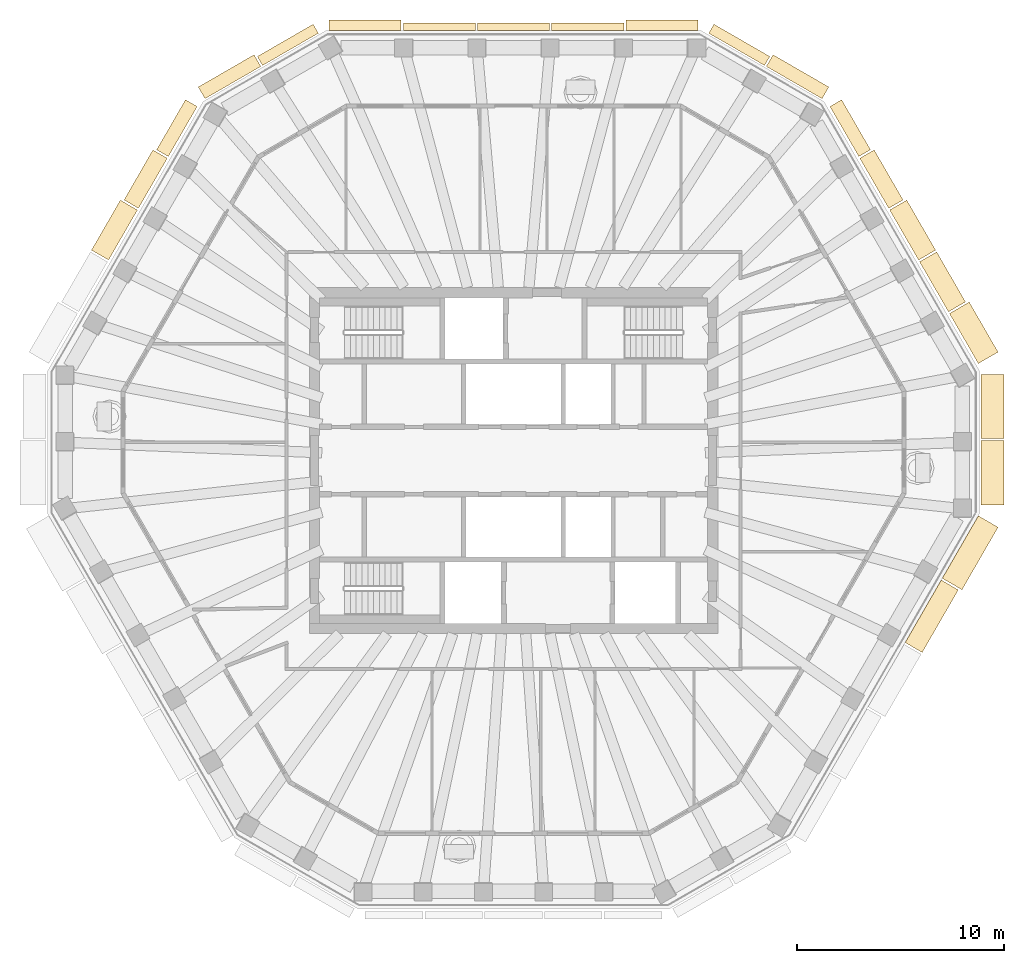
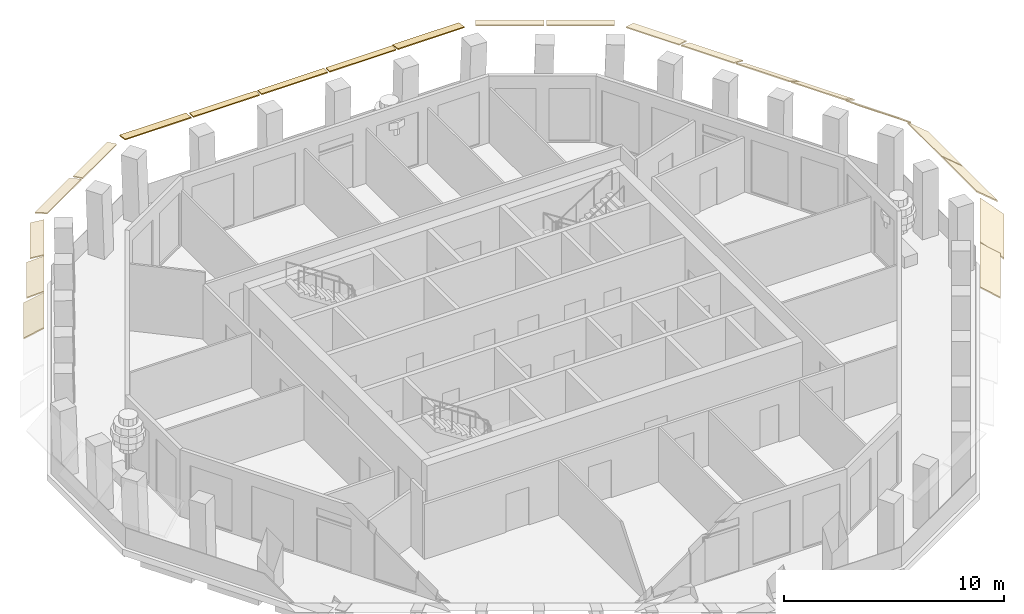
# One storey, part 9 of 11: 21 coverings.
"""IFC4 building model written with IfcOpenShell, lengths in metres."""

from ifc_helpers import new_model, si_unit, direction, frame, origin, place, context, subcontext, project, spatial, polyline, outline, extrude, material, layer, layer_set, type_object, element, save


model = new_model("IFC4")

# Units and contexts
model_context = context("Model", 3, precision=1e-05, world=origin(), true_north=direction((0.0, 1.0)))
body_context = subcontext(model_context, "Body", "Model", "MODEL_VIEW")
ifc_project = project(units=[si_unit("LENGTHUNIT", "METRE"), si_unit("AREAUNIT", "SQUARE_METRE"), si_unit("VOLUMEUNIT", "CUBIC_METRE"), si_unit("PLANEANGLEUNIT", "RADIAN"), si_unit("MASSUNIT", "GRAM", prefix="KILO")], contexts=[model_context])

# Site, building, storey
site_placement = place(None, origin())
site = spatial("IfcSite", under=ifc_project, at=site_placement, CompositionType="ELEMENT")
building_placement = place(site_placement, origin())
building = spatial("IfcBuilding", under=site, at=building_placement, Name="Frailejon Research Tower", CompositionType="ELEMENT")
storey_placement = place(building_placement, frame((0.0, 0.0, 336.60009765625)))
storey = spatial("IfcBuildingStorey", under=building, at=storey_placement, Name="L75", CompositionType="ELEMENT", Elevation=336.60009765625)

# Coverings
ifc_material_1 = material(Name="Precast concrete C50/60", Category="concrete")
ifc_layer_1 = layer(ifc_material_1, 0.06005859375)
ifc_layer_set_1 = layer_set([ifc_layer_1], Name="Brim blade depth 1100")
covering_type_1 = type_object("IfcCoveringType", Name="Brim blade depth 1100", PredefinedType="CLADDING", material=ifc_layer_set_1)
covering_1_placement = place(storey_placement, frame((22.55810546875, 0.95556640625, 3.849853515625), z_axis=(0.0, -1.0, 0.0), x_axis=(1.0, 0.0, 0.0)))
element("IfcCovering", 1, at=covering_1_placement, inside=storey, type_object=covering_type_1, Name="Brim blade L75", PredefinedType="CLADDING", context=body_context, shape_type="SweptSolid", body=[
    extrude(outline(polyline([(0.0, -0.078369140625), (1.10009765625, -1.001220703125), (1.10009765625, -0.923095703125), (0.0, 0.0), (0.0, -0.078369140625)])), origin(), (0.0, 0.0, 1.0), 3.10595703125),
])
covering_2_placement = place(storey_placement, frame((22.55810546875, 4.16162109375, 3.849853515625), z_axis=(0.0, -1.0, 0.0), x_axis=(1.0, 0.0, 0.0)))
element("IfcCovering", 2, at=covering_2_placement, inside=storey, type_object=covering_type_1, Name="Brim blade L75", PredefinedType="CLADDING", context=body_context, shape_type="SweptSolid", body=[
    extrude(outline(polyline([(0.0, -0.078369140625), (1.10009765625, -1.001220703125), (1.10009765625, -0.923095703125), (0.0, 0.0), (0.0, -0.078369140625)])), origin(), (0.0, 0.0, 1.0), 3.106201171875),
])
covering_3_placement = place(storey_placement, frame((21.02783203125, 7.08984375, 3.849853515625), z_axis=(0.499985704185, -0.86603365732, 0.0), x_axis=(0.86603365732, 0.499985704185, 0.0)))
element("IfcCovering", 3, at=covering_3_placement, inside=storey, type_object=covering_type_1, Name="Brim blade L75", PredefinedType="CLADDING", context=body_context, shape_type="SweptSolid", body=[
    extrude(outline(polyline([(0.0, -0.078369140625), (1.10009765625, -1.001220703125), (1.10009765625, -0.923095703125), (0.0, 0.0), (0.0, -0.078369140625)])), origin(), (0.0, 0.0, 1.0), 2.78271484375),
])
covering_4_placement = place(storey_placement, frame((22.419189453125, -2.668701171875, 3.849853515625), z_axis=(-0.499994112085, -0.866028803147, 0.0), x_axis=(0.866028803147, -0.499994112085, 0.0)))
element("IfcCovering", 4, at=covering_4_placement, inside=storey, type_object=covering_type_1, Name="Brim blade L75", PredefinedType="CLADDING", context=body_context, shape_type="SweptSolid", body=[
    extrude(outline(polyline([(0.0, -0.078369140625), (1.10009765625, -1.001220703125), (1.10009765625, -0.923095703125), (0.0, 0.0), (0.0, -0.078369140625)])), origin(), (0.0, 0.0, 1.0), 3.4794921875),
])
ifc_material_2 = material(Name="Precast concrete C50/60", Category="concrete")
ifc_layer_2 = layer(ifc_material_2, 0.06005859375)
ifc_layer_set_2 = layer_set([ifc_layer_2], Name="Brim blade depth 350")
covering_type_2 = type_object("IfcCoveringType", Name="Brim blade depth 350", PredefinedType="CLADDING", material=ifc_layer_set_2)
for number, where, z_axis, x_axis, name in (
    (5, (1.839599609375, 20.75, 3.849853515625), (1.0, 0.0, 0.0), (0.0, 1.0, 0.0), "Brim blade L75"),
    (6, (-1.73974609375, 20.75, 3.849853515625), (1.0, 0.0, 0.0), (0.0, 1.0, 0.0), "Brim blade L75"),
    (7, (-5.319091796875, 20.75, 3.849853515625), (1.0, 0.0, 0.0), (0.0, 1.0, 0.0), "Brim blade L75"),
):
    element("IfcCovering", number, at=place(storey_placement, frame(where, z_axis=z_axis, x_axis=x_axis)), inside=storey, type_object=covering_type_2, Name=name, PredefinedType="CLADDING", context=body_context, shape_type="SweptSolid", body=[
        extrude(outline(polyline([(0.0, -0.06005859375), (0.35009765625, -0.06005859375), (0.35009765625, 0.0), (0.0, 0.0), (0.0, -0.06005859375)])), origin(), (0.0, 0.0, 1.0), 3.4794921875),
    ])
ifc_material_3 = material(Name="Precast concrete C50/60", Category="concrete")
ifc_layer_3 = layer(ifc_material_3, 0.06005859375)
ifc_layer_set_3 = layer_set([ifc_layer_3], Name="Brim blade depth 500")
covering_type_3 = type_object("IfcCoveringType", Name="Brim blade depth 500", PredefinedType="CLADDING", material=ifc_layer_set_3)
covering_5_placement = place(storey_placement, frame((9.416748046875, 20.611083984375, 3.849853515625), z_axis=(0.866034959906, -0.499983447946, 0.0), x_axis=(0.499983447946, 0.866034959906, 0.0)))
element("IfcCovering", 8, at=covering_5_placement, inside=storey, type_object=covering_type_3, Name="Brim blade L75", PredefinedType="CLADDING", context=body_context, shape_type="SweptSolid", body=[
    extrude(outline(polyline([(0.0, -0.060546875), (0.5, -0.130859375), (0.5, -0.0703125), (0.0, 0.0), (0.0, -0.060546875)])), origin(), (0.0, 0.0, 1.0), 3.106201171875),
])
for number, where, z_axis, x_axis, name in (
    (9, (5.419189453125, 20.75, 3.849853515625), (1.0, 0.0, 0.0), (0.0, 1.0, 0.0), "Brim blade L75"),
    (10, (-8.8984375, 20.75, 3.849853515625), (1.0, 0.0, 0.0), (0.0, 1.0, 0.0), "Brim blade L75"),
):
    element("IfcCovering", number, at=place(storey_placement, frame(where, z_axis=z_axis, x_axis=x_axis)), inside=storey, type_object=covering_type_3, Name=name, PredefinedType="CLADDING", context=body_context, shape_type="SweptSolid", body=[
        extrude(outline(polyline([(0.0, -0.060546875), (0.5, -0.130859375), (0.5, -0.0703125), (0.0, 0.0), (0.0, -0.060546875)])), origin(), (0.0, 0.0, 1.0), 3.479248046875),
    ])
covering_6_placement = place(storey_placement, frame((-12.106689453125, 19.05810546875, 3.849853515625), z_axis=(0.866034959906, 0.499983447946, 0.0), x_axis=(-0.499983447946, 0.866034959906, 0.0)))
element("IfcCovering", 11, at=covering_6_placement, inside=storey, type_object=covering_type_3, Name="Brim blade L75", PredefinedType="CLADDING", context=body_context, shape_type="SweptSolid", body=[
    extrude(outline(polyline([(0.0, -0.060546875), (0.5, -0.130859375), (0.5, -0.0703125), (0.0, 0.0), (0.0, -0.060546875)])), origin(), (0.0, 0.0, 1.0), 3.106201171875),
])
ifc_material_4 = material(Name="Precast concrete C50/60", Category="concrete")
ifc_layer_4 = layer(ifc_material_4, 0.06005859375)
ifc_layer_set_4 = layer_set([ifc_layer_4], Name="Brim blade depth 650")
covering_type_4 = type_object("IfcCoveringType", Name="Brim blade depth 650", PredefinedType="CLADDING", material=ifc_layer_set_4)
covering_7_placement = place(storey_placement, frame((15.2626953125, 17.07568359375, 3.849853515625), z_axis=(0.500000725089, -0.866024985154, 0.0), x_axis=(0.866024985154, 0.500000725089, 0.0)))
element("IfcCovering", 12, at=covering_7_placement, inside=storey, type_object=covering_type_4, Name="Brim blade L75", PredefinedType="CLADDING", context=body_context, shape_type="SweptSolid", body=[
    extrude(outline(polyline([(0.0, -0.0625), (0.64990234375, -0.248779296875), (0.64990234375, -0.186279296875), (0.0, 0.0), (0.0, -0.0625)])), origin(), (0.0, 0.0, 1.0), 2.78271484375),
])
for number, where, z_axis, x_axis, name in (
    (13, (12.193359375, 19.008056640625, 3.849853515625), (0.86601365609, -0.500020347052, 0.0), (0.500020347052, 0.86601365609, 0.0), "Brim blade L75"),
    (14, (-14.88330078125, 17.455078125, 3.849853515625), (0.86601365609, 0.500020347052, 0.0), (-0.500020347052, 0.86601365609, 0.0), "Brim blade L75"),
):
    element("IfcCovering", number, at=place(storey_placement, frame(where, z_axis=z_axis, x_axis=x_axis)), inside=storey, type_object=covering_type_4, Name=name, PredefinedType="CLADDING", context=body_context, shape_type="SweptSolid", body=[
        extrude(outline(polyline([(0.0, -0.0625), (0.64990234375, -0.248779296875), (0.64990234375, -0.186279296875), (0.0, 0.0), (0.0, -0.0625)])), origin(), (0.0, 0.0, 1.0), 3.106201171875),
    ])
covering_8_placement = place(storey_placement, frame((-16.65380859375, 14.665771484375, 3.849853515625), z_axis=(0.500000725089, 0.866024985154, 0.0), x_axis=(-0.866024985154, 0.500000725089, 0.0)))
element("IfcCovering", 15, at=covering_8_placement, inside=storey, type_object=covering_type_4, Name="Brim blade L75", PredefinedType="CLADDING", context=body_context, shape_type="SweptSolid", body=[
    extrude(outline(polyline([(0.0, -0.0625), (0.64990234375, -0.248779296875), (0.64990234375, -0.186279296875), (0.0, 0.0), (0.0, -0.0625)])), origin(), (0.0, 0.0, 1.0), 2.78271484375),
])
ifc_material_5 = material(Name="Precast concrete C50/60", Category="concrete")
ifc_layer_5 = layer(ifc_material_5, 0.06005859375)
ifc_layer_set_5 = layer_set([ifc_layer_5], Name="Brim blade depth 800")
covering_type_5 = type_object("IfcCoveringType", Name="Brim blade depth 800", PredefinedType="CLADDING", material=ifc_layer_set_5)
for number, where, z_axis, x_axis, name in (
    (16, (16.703857421875, 14.5791015625, 3.849853515625), (0.500011721241, -0.866018636417, 0.0), (0.866018636417, 0.500011721241, 0.0), "Brim blade L75"),
    (17, (-18.09521484375, 12.169189453125, 3.849853515625), (0.500011721241, 0.866018636417, 0.0), (-0.866018636417, 0.500011721241, 0.0), "Brim blade L75"),
):
    element("IfcCovering", number, at=place(storey_placement, frame(where, z_axis=z_axis, x_axis=x_axis)), inside=storey, type_object=covering_type_5, Name=name, PredefinedType="CLADDING", context=body_context, shape_type="SweptSolid", body=[
        extrude(outline(polyline([(0.0, -0.065673828125), (0.800048828125, -0.421875), (0.800048828125, -0.356201171875), (0.0, 0.0), (0.0, -0.065673828125)])), origin(), (0.0, 0.0, 1.0), 2.78271484375),
    ])
ifc_material_6 = material(Name="Precast concrete C50/60", Category="concrete")
ifc_layer_6 = layer(ifc_material_6, 0.06005859375)
ifc_layer_set_6 = layer_set([ifc_layer_6], Name="Brim blade depth 950")
covering_type_6 = type_object("IfcCoveringType", Name="Brim blade depth 950", PredefinedType="CLADDING", material=ifc_layer_set_6)
for number, where, z_axis, x_axis, name in (
    (18, (19.586669921875, 9.586181640625, 3.849853515625), (0.500000725089, -0.866024985154, 0.0), (0.866024985154, 0.500000725089, 0.0), "Brim blade L75"),
    (19, (18.145263671875, 12.082763671875, 3.849853515625), (0.500000725089, -0.866024985154, 0.0), (0.866024985154, 0.500000725089, 0.0), "Brim blade L75"),
    (20, (-19.53662109375, 9.6728515625, 3.849853515625), (0.500000725089, 0.866024985154, 0.0), (-0.866024985154, 0.500000725089, 0.0), "Brim blade L75"),
):
    element("IfcCovering", number, at=place(storey_placement, frame(where, z_axis=z_axis, x_axis=x_axis)), inside=storey, type_object=covering_type_6, Name=name, PredefinedType="CLADDING", context=body_context, shape_type="SweptSolid", body=[
        extrude(outline(polyline([(0.0, -0.07080078125), (0.949951171875, -0.664306640625), (0.949951171875, -0.593505859375), (0.0, 0.0), (0.0, -0.07080078125)])), origin(), (0.0, 0.0, 1.0), 2.78271484375),
    ])
covering_9_placement = place(storey_placement, frame((20.62939453125, -5.7685546875, 3.849853515625), z_axis=(-0.500006209744, -0.866021818557, 0.0), x_axis=(0.866021818557, -0.500006209744, 0.0)))
element("IfcCovering", 21, at=covering_9_placement, inside=storey, type_object=covering_type_6, Name="Brim blade L75", PredefinedType="CLADDING", context=body_context, shape_type="SweptSolid", body=[
    extrude(outline(polyline([(0.0, -0.07080078125), (0.949951171875, -0.664306640625), (0.949951171875, -0.593505859375), (0.0, 0.0), (0.0, -0.07080078125)])), origin(), (0.0, 0.0, 1.0), 3.4794921875),
])

save(model, "model.ifc")
